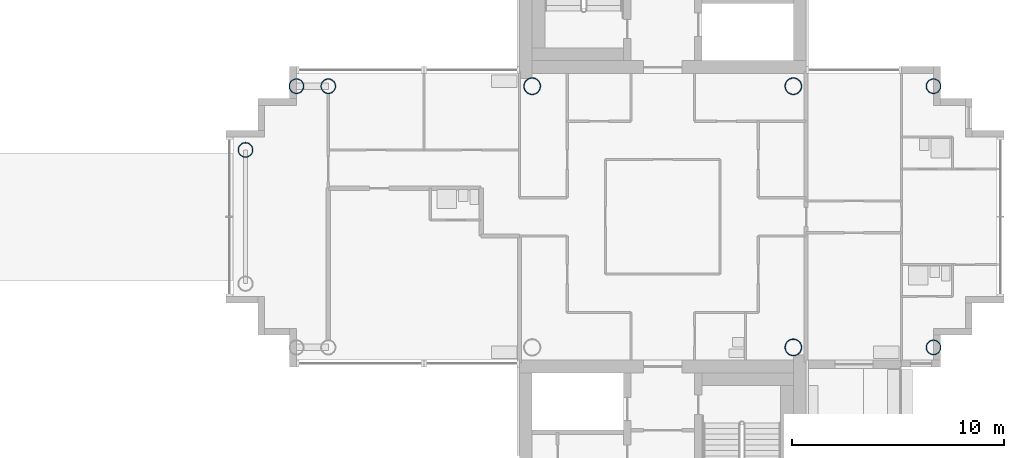
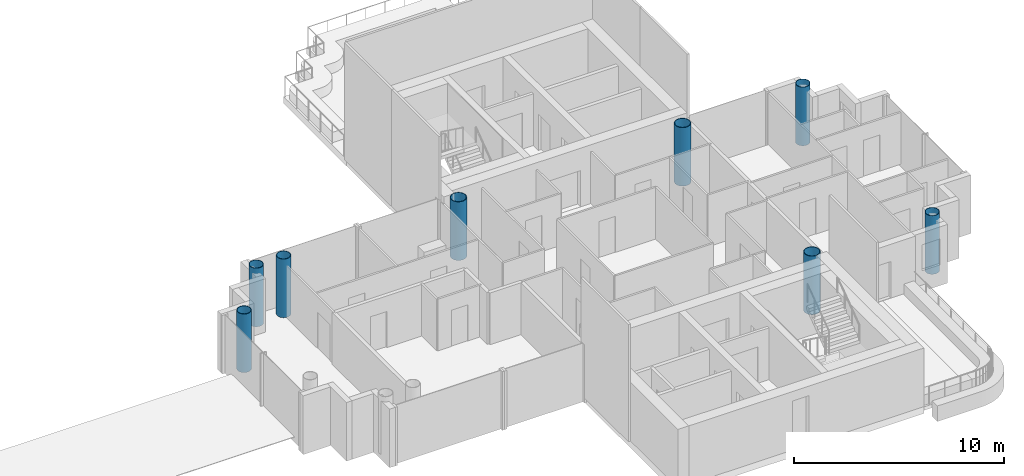
# One storey, part 2 of 19: 8 columns.
"""IFC4 building model written with IfcOpenShell, lengths in metres."""

from ifc_helpers import new_model, si_unit, direction, frame, origin, origin_2d, place, context, subcontext, project, spatial, hollow_circle, extrude, material, material_profile, profile_set, type_object, element, save


model = new_model("IFC4")

# Units and contexts
model_context = context("Model", 3, precision=1e-05, world=origin(), true_north=direction((0.0, 1.0)))
body_context = subcontext(model_context, "Body", "Model", "MODEL_VIEW")
ifc_project = project(units=[si_unit("LENGTHUNIT", "METRE"), si_unit("AREAUNIT", "SQUARE_METRE"), si_unit("VOLUMEUNIT", "CUBIC_METRE"), si_unit("PLANEANGLEUNIT", "RADIAN"), si_unit("MASSUNIT", "GRAM", prefix="KILO")], contexts=[model_context])

# Site, building, storey
site_placement = place(None, origin())
site = spatial("IfcSite", under=ifc_project, at=site_placement, CompositionType="ELEMENT")
building_placement = place(site_placement, origin())
building = spatial("IfcBuilding", under=site, at=building_placement, Name="Ipe Terrace Towers", CompositionType="ELEMENT")
storey_placement = place(building_placement, frame((0.0, 0.0, 185.800048828125)))
storey = spatial("IfcBuildingStorey", under=building, at=storey_placement, Name="L51", CompositionType="ELEMENT", Elevation=185.800048828125)

# Columns
ifc_material_1 = material(Name="Steel S355 tube with Concrete C60/75 fill", Category="concrete")
ifc_material_profile_1 = material_profile(ifc_material_1, hollow_circle(Radius=0.35009765625, WallThickness=0.02490234375, at=origin_2d()), Name="CHS-700x25")
ifc_profile_set_1 = profile_set([ifc_material_profile_1], Name="Steel S355 tube with Concrete C60/75 fill")
column_type_1 = type_object("IfcColumnType", Name="CH08 COLUMN CHS-700x25", PredefinedType="COLUMN", material=ifc_profile_set_1)
for number, where, z_axis, x_axis, name in (
    (1, (20.25, 6.14990234375, 0.0), (0.0, 0.0, 1.0), (1.0, 0.0, 0.0), "Column T2-C-B03"),
    (2, (18.75, 6.14990234375, 0.0), (0.0, 0.0, 1.0), (1.0, 0.0, 0.0), "Column T2-C-B05"),
    (3, (16.35009765625, 3.14990234375, 0.0), (0.0, 0.0, 1.0), (1.0, 0.0, 0.0), "Column T2-C-B07"),
    (4, (48.75, -6.14990234375, 0.0), (0.0, 0.0, 1.0), (1.0, 0.0, 0.0), "Column T2-C-D01"),
    (5, (48.75, 6.14990234375, 0.0), (0.0, 0.0, 1.0), (1.0, 0.0, 0.0), "Column T2-C-D02"),
):
    element("IfcColumn", number, at=place(storey_placement, frame(where, z_axis=z_axis, x_axis=x_axis)), inside=storey, type_object=column_type_1, Name=name, PredefinedType="COLUMN", context=body_context, shape_type="SweptSolid", body=[
        extrude(hollow_circle(Radius=0.35009765625, WallThickness=0.02490234375, at=origin_2d()), origin(), (0.0, 0.0, 1.0), 3.39990234375),
    ])
ifc_material_2 = material(Name="Steel S355 tube with Concrete C60/75 fill", Category="concrete")
ifc_material_profile_2 = material_profile(ifc_material_2, hollow_circle(Radius=0.39990234375, WallThickness=0.028076171875, at=origin_2d()), Name="CHS-800x28")
ifc_profile_set_2 = profile_set([ifc_material_profile_2], Name="Steel S355 tube with Concrete C60/75 fill")
column_type_2 = type_object("IfcColumnType", Name="CH09 COLUMN CHS-800x28", PredefinedType="COLUMN", material=ifc_profile_set_2)
for number, where, z_axis, x_axis, name in (
    (6, (42.14990234375, -6.14990234375, 0.0), (0.0, 0.0, 1.0), (1.0, 0.0, 0.0), "Column T2-C-E01"),
    (7, (42.14990234375, 6.14990234375, 0.0), (0.0, 0.0, 1.0), (1.0, 0.0, 0.0), "Column T2-C-E02"),
    (8, (29.85009765625, 6.14990234375, 0.0), (0.0, 0.0, 1.0), (1.0, 0.0, 0.0), "Column T2-C-E03"),
):
    element("IfcColumn", number, at=place(storey_placement, frame(where, z_axis=z_axis, x_axis=x_axis)), inside=storey, type_object=column_type_2, Name=name, PredefinedType="COLUMN", context=body_context, shape_type="SweptSolid", body=[
        extrude(hollow_circle(Radius=0.39990234375, WallThickness=0.028076171875, at=origin_2d()), origin(), (0.0, 0.0, 1.0), 3.39990234375),
    ])

save(model, "model.ifc")
